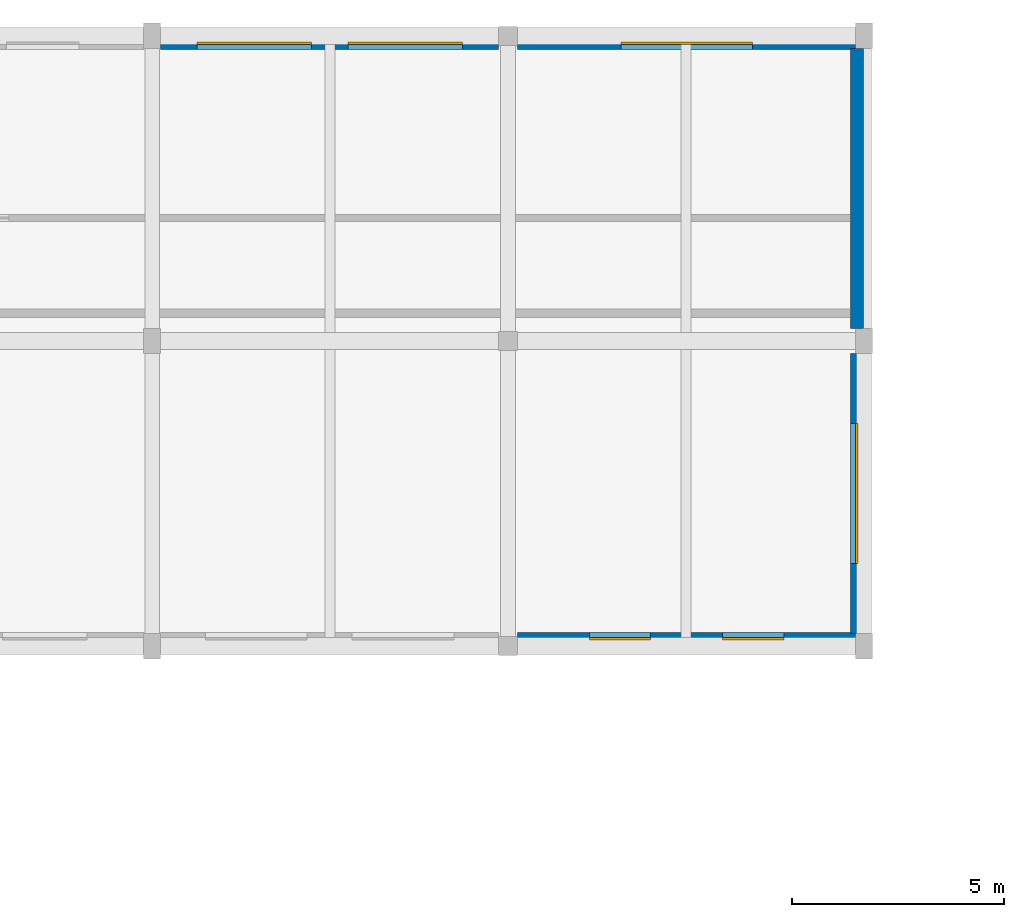
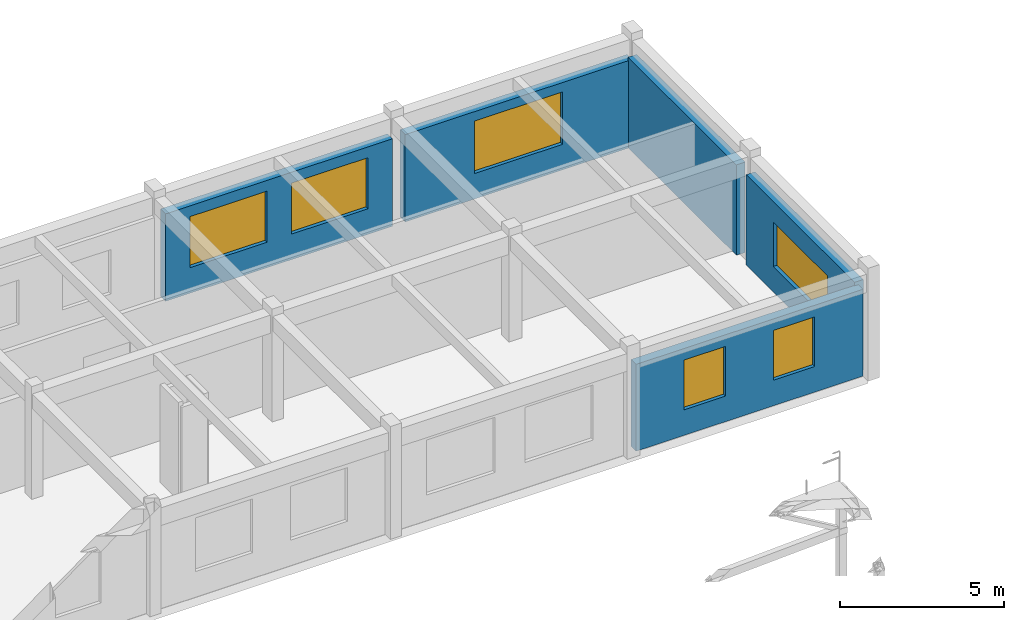
# One storey, part 33 of 41: 6 windows, 5 walls, 6 openings.
"""IFC4 building model written with IfcOpenShell, lengths in metres."""

from ifc_helpers import new_model, si_unit, direction, frame, frame_2d, origin, place, context, subcontext, project, spatial, rectangle, extrude, material, layer, layer_set, type_object, element, fill, save


model = new_model("IFC4")

# Units and contexts
model_context = context("Model", 3, precision=1e-05, world=origin(), true_north=direction((0.0, 1.0)))
body_context = subcontext(model_context, "Body", "Model", "MODEL_VIEW")
ifc_project = project(units=[si_unit("LENGTHUNIT", "METRE"), si_unit("AREAUNIT", "SQUARE_METRE"), si_unit("VOLUMEUNIT", "CUBIC_METRE"), si_unit("PLANEANGLEUNIT", "RADIAN"), si_unit("MASSUNIT", "GRAM", prefix="KILO")], contexts=[model_context])

# Site, building, storey
site_placement = place(None, origin())
site = spatial("IfcSite", under=ifc_project, at=site_placement, CompositionType="ELEMENT")
building_placement = place(site_placement, origin())
building = spatial("IfcBuilding", under=site, at=building_placement, Name="Malvenik Polytechnic", CompositionType="ELEMENT")
storey_placement = place(building_placement, frame((0.0, 0.0, 17.699951171875)))
storey = spatial("IfcBuildingStorey", under=building, at=storey_placement, Name="L04", CompositionType="ELEMENT", Elevation=17.699951171875)

# Wall, openings, windows
ifc_material_1 = material(Name="Brick masonry M15", Category="masonry")
ifc_layer = layer(ifc_material_1, 0.31005859375)
ifc_layer_set = layer_set([ifc_layer], Name="Brick masonry M15")
wall_type = type_object("IfcWallType", Name="ARC-EW-310", PredefinedType="SOLIDWALL", material=ifc_layer_set)
wall_1_placement = place(storey_placement, frame((117.798095703125, 129.429931640625, 0.0), z_axis=(0.0, 0.0, 1.0), x_axis=(1.0, 0.0, 0.0)))
wall_1 = element("IfcWall", 1, at=wall_1_placement, inside=storey, type_object=wall_type, Name="External Facade Wall EW-03 L04 #432", PredefinedType="SOLIDWALL", context=body_context, shape_type="SweptSolid", body=[
    extrude(rectangle(XDim=7.97900390625, YDim=0.31005859375, at=frame_2d((3.989501953125, 0.0))), origin(), (0.0, 0.0, 1.0), 3.25),
])
opening_1_placement = place(wall_1_placement, frame((0.859619140625, 0.0, 0.949951171875)))
opening_1 = element("IfcOpeningElement", 2, at=opening_1_placement, cuts=wall_1, Name="Opening W-27", PredefinedType="OPENING", context=body_context, shape_type="SweptSolid", body=[
    extrude(rectangle(XDim=2.699951171875, YDim=1.89990234375, at=frame_2d((1.35009765625, 0.949951171875))), frame((0.0, 0.1650390625, 0.0), z_axis=(0.0, -1.0, 0.0), x_axis=(1.0, 0.0, 0.0)), (0.0, 0.0, 1.0), 0.330078125),
])
opening_2_placement = place(wall_1_placement, frame((4.41943359375, 0.0, 0.949951171875)))
opening_2 = element("IfcOpeningElement", 3, at=opening_2_placement, cuts=wall_1, Name="Opening W-27", PredefinedType="OPENING", context=body_context, shape_type="SweptSolid", body=[
    extrude(rectangle(XDim=2.699951171875, YDim=1.89990234375, at=frame_2d((1.35009765625, 0.949951171875))), frame((0.0, 0.1650390625, 0.0), z_axis=(0.0, -1.0, 0.0), x_axis=(1.0, 0.0, 0.0)), (0.0, 0.0, 1.0), 0.330078125),
])
ifc_material_2 = material(Name="Thermally broken aluminium frame with low-E double glazing", Category="aluminium")
window_type_1 = type_object("IfcWindowType", Name="ARC-WIN-W-27", PartitioningType="SINGLE_PANEL", PredefinedType="WINDOW", material=ifc_material_2)
window_1_placement = place(opening_1_placement, origin())
window_1 = element("IfcWindow", 4, at=window_1_placement, inside=storey, type_object=window_type_1, Name="Punched Window W-27 L04 #449", OverallHeight=1.89990234375, OverallWidth=2.699951171875, PartitioningType="SINGLE_PANEL", PredefinedType="WINDOW", context=body_context, shape_type="SweptSolid", body=[
    extrude(rectangle(XDim=2.699951171875, YDim=1.89990234375, at=frame_2d((1.35009765625, 0.949951171875))), frame((0.0, 0.030029296875, 0.0), z_axis=(0.0, -1.0, 0.0), x_axis=(1.0, 0.0, 0.0)), (0.0, 0.0, 1.0), 0.06005859375),
])
fill(opening_1, window_1)
window_2_placement = place(opening_2_placement, origin())
window_2 = element("IfcWindow", 5, at=window_2_placement, inside=storey, type_object=window_type_1, Name="Punched Window W-27 L04 #450", OverallHeight=1.89990234375, OverallWidth=2.699951171875, PartitioningType="SINGLE_PANEL", PredefinedType="WINDOW", context=body_context, shape_type="SweptSolid", body=[
    extrude(rectangle(XDim=2.699951171875, YDim=1.89990234375, at=frame_2d((1.35009765625, 0.949951171875))), frame((0.0, 0.030029296875, 0.0), z_axis=(0.0, -1.0, 0.0), x_axis=(1.0, 0.0, 0.0)), (0.0, 0.0, 1.0), 0.06005859375),
])
fill(opening_2, window_2)

# Wall, opening, window
wall_2_placement = place(storey_placement, frame((126.222900390625, 129.429931640625, 0.0), z_axis=(0.0, 0.0, 1.0), x_axis=(1.0, 0.0, 0.0)))
wall_2 = element("IfcWall", 6, at=wall_2_placement, inside=storey, type_object=wall_type, Name="External Facade Wall EW-03 L04 #433", PredefinedType="SOLIDWALL", context=body_context, shape_type="SweptSolid", body=[
    extrude(rectangle(XDim=7.97900390625, YDim=0.31005859375, at=frame_2d((3.989501953125, 0.0))), origin(), (0.0, 0.0, 1.0), 3.25),
])
opening_3_placement = place(wall_2_placement, frame((2.439453125, 0.0, 0.949951171875)))
opening_3 = element("IfcOpeningElement", 7, at=opening_3_placement, cuts=wall_2, Name="Opening W-29", PredefinedType="OPENING", context=body_context, shape_type="SweptSolid", body=[
    extrude(rectangle(XDim=3.10009765625, YDim=1.949951171875, at=frame_2d((1.550048828125, 0.97509765625))), frame((0.0, 0.1650390625, 0.0), z_axis=(0.0, -1.0, 0.0), x_axis=(1.0, 0.0, 0.0)), (0.0, 0.0, 1.0), 0.330078125),
])
window_type_2 = type_object("IfcWindowType", Name="ARC-WIN-W-29", PartitioningType="SINGLE_PANEL", PredefinedType="WINDOW", material=ifc_material_2)
window_3_placement = place(opening_3_placement, origin())
window_3 = element("IfcWindow", 8, at=window_3_placement, inside=storey, type_object=window_type_2, Name="Punched Window W-29 L04 #451", OverallHeight=1.949951171875, OverallWidth=3.10009765625, PartitioningType="SINGLE_PANEL", PredefinedType="WINDOW", context=body_context, shape_type="SweptSolid", body=[
    extrude(rectangle(XDim=3.10009765625, YDim=1.949951171875, at=frame_2d((1.550048828125, 0.97509765625))), frame((0.0, 0.030029296875, 0.0), z_axis=(0.0, -1.0, 0.0), x_axis=(1.0, 0.0, 0.0)), (0.0, 0.0, 1.0), 0.06005859375),
])
fill(opening_3, window_3)

# Wall
wall_3_placement = place(storey_placement, frame((134.22998046875, 129.302001953125, 0.0), z_axis=(0.0, 0.0, 1.0), x_axis=(0.0, -1.0, 0.0)))
element("IfcWall", 9, at=wall_3_placement, inside=storey, type_object=wall_type, Name="External Facade Wall EW-03 L04 #434", PredefinedType="SOLIDWALL", context=body_context, shape_type="SweptSolid", body=[
    extrude(rectangle(XDim=6.60400390625, YDim=0.31005859375, at=frame_2d((3.302001953125, 0.0))), origin(), (0.0, 0.0, 1.0), 3.360107421875),
])

# Wall, opening, window
wall_4_placement = place(storey_placement, frame((134.22998046875, 122.10205078125, 0.0), z_axis=(0.0, 0.0, 1.0), x_axis=(0.0, -1.0, 0.0)))
wall_4 = element("IfcWall", 10, at=wall_4_placement, inside=storey, type_object=wall_type, Name="External Facade Wall EW-03 L04 #435", PredefinedType="SOLIDWALL", context=body_context, shape_type="SweptSolid", body=[
    extrude(rectangle(XDim=6.60400390625, YDim=0.31005859375, at=frame_2d((3.302001953125, 0.0))), origin(), (0.0, 0.0, 1.0), 3.360107421875),
])
opening_4_placement = place(wall_4_placement, frame((1.652099609375, 0.0, 0.949951171875)))
opening_4 = element("IfcOpeningElement", 11, at=opening_4_placement, cuts=wall_4, Name="Opening W-30", PredefinedType="OPENING", context=body_context, shape_type="SweptSolid", body=[
    extrude(rectangle(XDim=3.300048828125, YDim=1.64990234375, at=frame_2d((1.64990234375, 0.824951171875))), frame((0.0, 0.1650390625, 0.0), z_axis=(0.0, -1.0, 0.0), x_axis=(1.0, 0.0, 0.0)), (0.0, 0.0, 1.0), 0.330078125),
])
window_type_3 = type_object("IfcWindowType", Name="ARC-WIN-W-30", PartitioningType="SINGLE_PANEL", PredefinedType="WINDOW", material=ifc_material_2)
window_4_placement = place(opening_4_placement, origin())
window_4 = element("IfcWindow", 12, at=window_4_placement, inside=storey, type_object=window_type_3, Name="Punched Window W-30 L04 #452", OverallHeight=1.64990234375, OverallWidth=3.300048828125, PartitioningType="SINGLE_PANEL", PredefinedType="WINDOW", context=body_context, shape_type="SweptSolid", body=[
    extrude(rectangle(XDim=3.300048828125, YDim=1.64990234375, at=frame_2d((1.64990234375, 0.824951171875))), frame((0.0, 0.030029296875, 0.0), z_axis=(0.0, -1.0, 0.0), x_axis=(1.0, 0.0, 0.0)), (0.0, 0.0, 1.0), 0.06005859375),
])
fill(opening_4, window_4)

# Wall, openings, windows
wall_5_placement = place(storey_placement, frame((134.201904296875, 115.3701171875, 0.0), z_axis=(0.0, 0.0, 1.0), x_axis=(-1.0, 0.0, 0.0)))
wall_5 = element("IfcWall", 13, at=wall_5_placement, inside=storey, type_object=wall_type, Name="External Facade Wall EW-03 L04 #436", PredefinedType="SOLIDWALL", context=body_context, shape_type="SweptSolid", body=[
    extrude(rectangle(XDim=7.97900390625, YDim=0.31005859375, at=frame_2d((3.989501953125, 0.0))), origin(), (0.0, 0.0, 1.0), 3.22998046875),
])
opening_5_placement = place(wall_5_placement, frame((1.693115234375, 0.0, 0.949951171875)))
opening_5 = element("IfcOpeningElement", 14, at=opening_5_placement, cuts=wall_5, Name="Opening W-31", PredefinedType="OPENING", context=body_context, shape_type="SweptSolid", body=[
    extrude(rectangle(XDim=1.449951171875, YDim=1.85009765625, at=frame_2d((0.72509765625, 0.925048828125))), frame((0.0, 0.1650390625, 0.0), z_axis=(0.0, -1.0, 0.0), x_axis=(1.0, 0.0, 0.0)), (0.0, 0.0, 1.0), 0.330078125),
])
opening_6_placement = place(wall_5_placement, frame((4.8359375, 0.0, 0.949951171875)))
opening_6 = element("IfcOpeningElement", 15, at=opening_6_placement, cuts=wall_5, Name="Opening W-31", PredefinedType="OPENING", context=body_context, shape_type="SweptSolid", body=[
    extrude(rectangle(XDim=1.449951171875, YDim=1.85009765625, at=frame_2d((0.72509765625, 0.925048828125))), frame((0.0, 0.1650390625, 0.0), z_axis=(0.0, -1.0, 0.0), x_axis=(1.0, 0.0, 0.0)), (0.0, 0.0, 1.0), 0.330078125),
])
window_type_4 = type_object("IfcWindowType", Name="ARC-WIN-W-31", PartitioningType="SINGLE_PANEL", PredefinedType="WINDOW", material=ifc_material_2)
window_5_placement = place(opening_5_placement, origin())
window_5 = element("IfcWindow", 16, at=window_5_placement, inside=storey, type_object=window_type_4, Name="Punched Window W-31 L04 #453", OverallHeight=1.85009765625, OverallWidth=1.449951171875, PartitioningType="SINGLE_PANEL", PredefinedType="WINDOW", context=body_context, shape_type="SweptSolid", body=[
    extrude(rectangle(XDim=1.449951171875, YDim=1.85009765625, at=frame_2d((0.72509765625, 0.925048828125))), frame((0.0, 0.030029296875, 0.0), z_axis=(0.0, -1.0, 0.0), x_axis=(1.0, 0.0, 0.0)), (0.0, 0.0, 1.0), 0.06005859375),
])
fill(opening_5, window_5)
window_6_placement = place(opening_6_placement, origin())
window_6 = element("IfcWindow", 17, at=window_6_placement, inside=storey, type_object=window_type_4, Name="Punched Window W-31 L04 #454", OverallHeight=1.85009765625, OverallWidth=1.449951171875, PartitioningType="SINGLE_PANEL", PredefinedType="WINDOW", context=body_context, shape_type="SweptSolid", body=[
    extrude(rectangle(XDim=1.449951171875, YDim=1.85009765625, at=frame_2d((0.72509765625, 0.925048828125))), frame((0.0, 0.030029296875, 0.0), z_axis=(0.0, -1.0, 0.0), x_axis=(1.0, 0.0, 0.0)), (0.0, 0.0, 1.0), 0.06005859375),
])
fill(opening_6, window_6)

save(model, "model.ifc")
